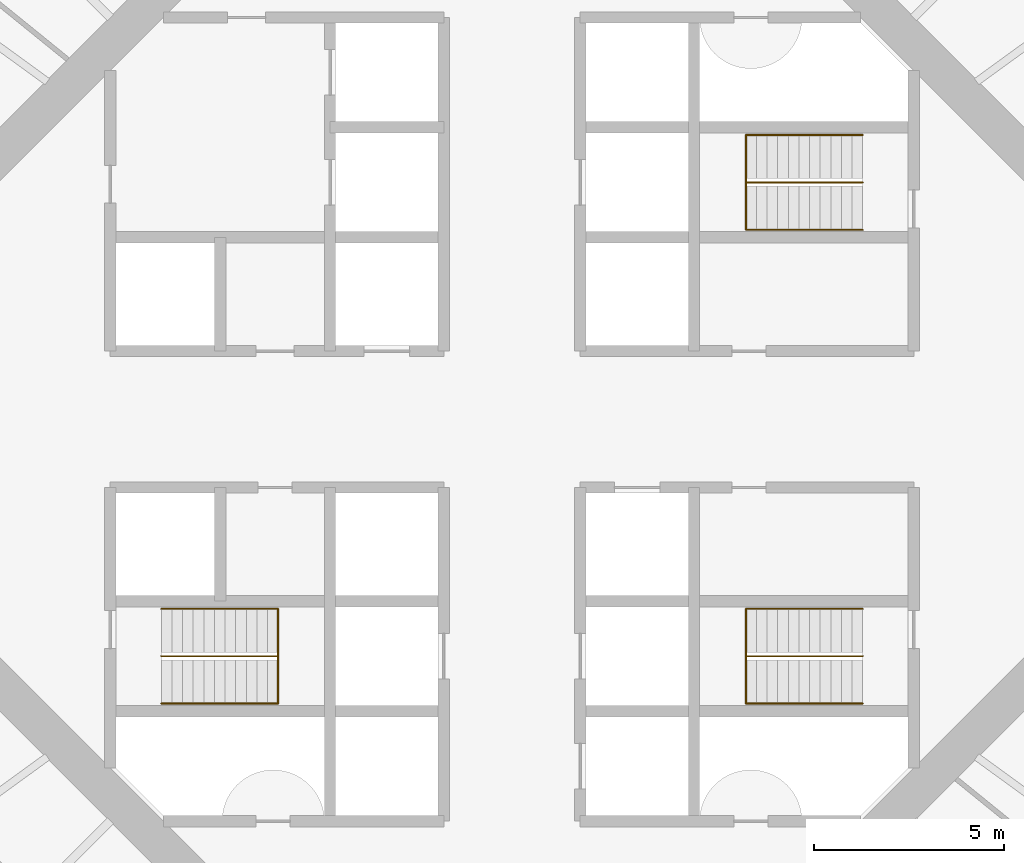
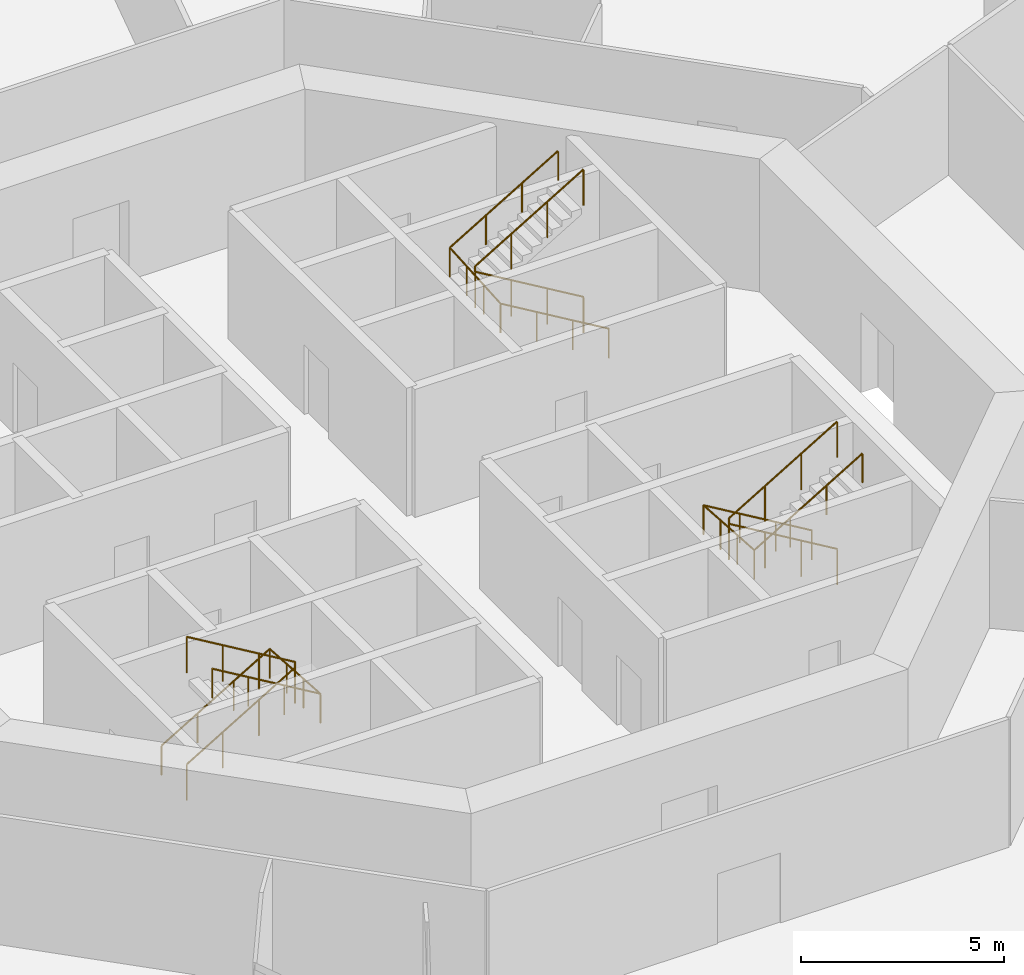
# One storey, part 12 of 12: 6 railings.
"""IFC4 building model written with IfcOpenShell, lengths in metres."""

from ifc_helpers import new_model, si_unit, direction, frame, origin, origin_2d, place, context, subcontext, project, spatial, circle, extrude, material, type_object, element, save


model = new_model("IFC4")

# Units and contexts
model_context = context("Model", 3, precision=1e-05, world=origin(), true_north=direction((0.0, 1.0)))
body_context = subcontext(model_context, "Body", "Model", "MODEL_VIEW")
ifc_project = project(units=[si_unit("LENGTHUNIT", "METRE"), si_unit("AREAUNIT", "SQUARE_METRE"), si_unit("VOLUMEUNIT", "CUBIC_METRE"), si_unit("PLANEANGLEUNIT", "RADIAN"), si_unit("MASSUNIT", "GRAM", prefix="KILO")], contexts=[model_context])

# Site, building, storey
site_placement = place(None, origin())
site = spatial("IfcSite", under=ifc_project, at=site_placement, CompositionType="ELEMENT")
building_placement = place(site_placement, origin())
building = spatial("IfcBuilding", under=site, at=building_placement, Name="Entoto Ring Tower", CompositionType="ELEMENT")
storey_placement = place(building_placement, frame((0.0, 0.0, 152.0)))
storey = spatial("IfcBuildingStorey", under=building, at=storey_placement, Name="L34", CompositionType="ELEMENT", Elevation=152.0)

# Railings
ifc_material_1 = material(Name="Steel S275", Category="steel")
railing_type_1 = type_object("IfcRailingType", Name="Stair guard 1100 mm steel", PredefinedType="GUARDRAIL", material=ifc_material_1)
railing_1_placement = place(storey_placement, frame((99.25, 86.25, 0.166748046875)))
element("IfcRailing", 1, at=railing_1_placement, inside=storey, type_object=railing_type_1, Name="Guard ST1", PredefinedType="GUARDRAIL", context=body_context, shape_type="SweptSolid", body=[
    extrude(circle(Radius=0.02392578125, at=origin_2d()), frame((0.0, 0.0, 1.076171875), z_axis=(-0.859308565015, 0.0, 0.511457515432), x_axis=(0.0, -1.0, 0.0)), (0.0, 0.0, 1.0), 3.58447265625),
    extrude(circle(Radius=0.02392578125, at=origin_2d()), frame((-3.080078125, 0.0, 2.9091796875), z_axis=(0.0, 0.0, 1.0), x_axis=(1.0, 0.0, 0.0)), (0.0, 0.0, 1.0), 0.166748046875),
    extrude(circle(Radius=0.02392578125, at=origin_2d()), frame((-3.080078125, 0.0, 3.076171875), z_axis=(0.859308565015, 0.0, 0.511457515432), x_axis=(0.0, 1.0, 0.0)), (0.0, 0.0, 1.0), 3.58447265625),
    extrude(circle(Radius=0.02099609375, at=origin_2d()), origin(), (0.0, 0.0, 1.0), 1.052001953125),
    extrude(circle(Radius=0.02099609375, at=origin_2d()), frame((-1.026611328125, 0.0, 0.611083984375)), (0.0, 0.0, 1.0), 1.052001953125),
    extrude(circle(Radius=0.02099609375, at=origin_2d()), frame((-2.053466796875, 0.0, 1.22216796875)), (0.0, 0.0, 1.0), 1.052001953125),
    extrude(circle(Radius=0.02099609375, at=origin_2d()), frame((-3.080078125, 0.0, 1.833251953125)), (0.0, 0.0, 1.0), 1.052001953125),
    extrude(circle(Radius=0.02099609375, at=origin_2d()), frame((-3.080078125, 0.0, 2.0)), (0.0, 0.0, 1.0), 1.052001953125),
    extrude(circle(Radius=0.02099609375, at=origin_2d()), frame((-2.053466796875, 0.0, 2.611083984375)), (0.0, 0.0, 1.0), 1.052001953125),
    extrude(circle(Radius=0.02099609375, at=origin_2d()), frame((-1.026611328125, 0.0, 3.22216796875)), (0.0, 0.0, 1.0), 1.052001953125),
    extrude(circle(Radius=0.02099609375, at=origin_2d()), frame((0.0, 0.0, 3.833251953125)), (0.0, 0.0, 1.0), 1.052001953125),
])
railing_2_placement = place(storey_placement, frame((80.75, 73.75, 0.166748046875)))
element("IfcRailing", 2, at=railing_2_placement, inside=storey, type_object=railing_type_1, Name="Guard ST2", PredefinedType="GUARDRAIL", context=body_context, shape_type="SweptSolid", body=[
    extrude(circle(Radius=0.02392578125, at=origin_2d()), frame((0.0, 0.0, 1.076171875), z_axis=(0.859308565015, 0.0, 0.511457515432), x_axis=(0.0, 1.0, 0.0)), (0.0, 0.0, 1.0), 3.58447265625),
    extrude(circle(Radius=0.02392578125, at=origin_2d()), frame((3.080078125, 0.0, 2.9091796875), z_axis=(0.0, 0.0, 1.0), x_axis=(1.0, 0.0, 0.0)), (0.0, 0.0, 1.0), 0.166748046875),
    extrude(circle(Radius=0.02392578125, at=origin_2d()), frame((3.080078125, 0.0, 3.076171875), z_axis=(-0.859308565015, 0.0, 0.511457515432), x_axis=(0.0, -1.0, 0.0)), (0.0, 0.0, 1.0), 3.58447265625),
    extrude(circle(Radius=0.02099609375, at=origin_2d()), origin(), (0.0, 0.0, 1.0), 1.052001953125),
    extrude(circle(Radius=0.02099609375, at=origin_2d()), frame((1.026611328125, 0.0, 0.611083984375)), (0.0, 0.0, 1.0), 1.052001953125),
    extrude(circle(Radius=0.02099609375, at=origin_2d()), frame((2.053466796875, 0.0, 1.22216796875)), (0.0, 0.0, 1.0), 1.052001953125),
    extrude(circle(Radius=0.02099609375, at=origin_2d()), frame((3.080078125, 0.0, 1.833251953125)), (0.0, 0.0, 1.0), 1.052001953125),
    extrude(circle(Radius=0.02099609375, at=origin_2d()), frame((3.080078125, 0.0, 2.0)), (0.0, 0.0, 1.0), 1.052001953125),
    extrude(circle(Radius=0.02099609375, at=origin_2d()), frame((2.053466796875, 0.0, 2.611083984375)), (0.0, 0.0, 1.0), 1.052001953125),
    extrude(circle(Radius=0.02099609375, at=origin_2d()), frame((1.026611328125, 0.0, 3.22216796875)), (0.0, 0.0, 1.0), 1.052001953125),
    extrude(circle(Radius=0.02099609375, at=origin_2d()), frame((0.0, 0.0, 3.833251953125)), (0.0, 0.0, 1.0), 1.052001953125),
])
railing_3_placement = place(storey_placement, frame((99.25, 73.75, 0.166748046875)))
element("IfcRailing", 3, at=railing_3_placement, inside=storey, type_object=railing_type_1, Name="Guard ST3", PredefinedType="GUARDRAIL", context=body_context, shape_type="SweptSolid", body=[
    extrude(circle(Radius=0.02392578125, at=origin_2d()), frame((0.0, 0.0, 1.076171875), z_axis=(-0.859308565015, 0.0, 0.511457515432), x_axis=(0.0, -1.0, 0.0)), (0.0, 0.0, 1.0), 3.58447265625),
    extrude(circle(Radius=0.02392578125, at=origin_2d()), frame((-3.080078125, 0.0, 2.9091796875), z_axis=(0.0, 0.0, 1.0), x_axis=(1.0, 0.0, 0.0)), (0.0, 0.0, 1.0), 0.166748046875),
    extrude(circle(Radius=0.02392578125, at=origin_2d()), frame((-3.080078125, 0.0, 3.076171875), z_axis=(0.859308565015, 0.0, 0.511457515432), x_axis=(0.0, 1.0, 0.0)), (0.0, 0.0, 1.0), 3.58447265625),
    extrude(circle(Radius=0.02099609375, at=origin_2d()), origin(), (0.0, 0.0, 1.0), 1.052001953125),
    extrude(circle(Radius=0.02099609375, at=origin_2d()), frame((-1.026611328125, 0.0, 0.611083984375)), (0.0, 0.0, 1.0), 1.052001953125),
    extrude(circle(Radius=0.02099609375, at=origin_2d()), frame((-2.053466796875, 0.0, 1.22216796875)), (0.0, 0.0, 1.0), 1.052001953125),
    extrude(circle(Radius=0.02099609375, at=origin_2d()), frame((-3.080078125, 0.0, 1.833251953125)), (0.0, 0.0, 1.0), 1.052001953125),
    extrude(circle(Radius=0.02099609375, at=origin_2d()), frame((-3.080078125, 0.0, 2.0)), (0.0, 0.0, 1.0), 1.052001953125),
    extrude(circle(Radius=0.02099609375, at=origin_2d()), frame((-2.053466796875, 0.0, 2.611083984375)), (0.0, 0.0, 1.0), 1.052001953125),
    extrude(circle(Radius=0.02099609375, at=origin_2d()), frame((-1.026611328125, 0.0, 3.22216796875)), (0.0, 0.0, 1.0), 1.052001953125),
    extrude(circle(Radius=0.02099609375, at=origin_2d()), frame((0.0, 0.0, 3.833251953125)), (0.0, 0.0, 1.0), 1.052001953125),
])
ifc_material_2 = material(Name="Steel S275", Category="steel")
railing_type_2 = type_object("IfcRailingType", Name="Stair handrail 900 mm steel", PredefinedType="HANDRAIL", material=ifc_material_2)
railing_4_placement = place(storey_placement, frame((99.25, 85.0, 0.166748046875)))
element("IfcRailing", 4, at=railing_4_placement, inside=storey, type_object=railing_type_2, Name="Handrail ST1", PredefinedType="HANDRAIL", context=body_context, shape_type="SweptSolid", body=[
    extrude(circle(Radius=0.02392578125, at=origin_2d()), frame((0.0, 0.0, 0.8759765625), z_axis=(-0.859308565015, 0.0, 0.511457515432), x_axis=(0.0, -1.0, 0.0)), (0.0, 0.0, 1.0), 3.58447265625),
    extrude(circle(Radius=0.02392578125, at=origin_2d()), frame((-3.080078125, 0.0, 2.708984375), z_axis=(0.0, 0.997783001586, 0.066551346688), x_axis=(-1.0, 0.0, 0.0)), (0.0, 0.0, 1.0), 2.505615234375),
    extrude(circle(Radius=0.02392578125, at=origin_2d()), frame((-3.080078125, 2.5, 2.8759765625), z_axis=(0.859308565015, 0.0, 0.511457515432), x_axis=(0.0, 1.0, 0.0)), (0.0, 0.0, 1.0), 3.58447265625),
    extrude(circle(Radius=0.02099609375, at=origin_2d()), origin(), (0.0, 0.0, 1.0), 0.851806640625),
    extrude(circle(Radius=0.02099609375, at=origin_2d()), frame((-1.026611328125, 0.0, 0.611083984375)), (0.0, 0.0, 1.0), 0.851806640625),
    extrude(circle(Radius=0.02099609375, at=origin_2d()), frame((-2.053466796875, 0.0, 1.22216796875)), (0.0, 0.0, 1.0), 0.851806640625),
    extrude(circle(Radius=0.02099609375, at=origin_2d()), frame((-3.080078125, 0.0, 1.833251953125)), (0.0, 0.0, 1.0), 0.851806640625),
    extrude(circle(Radius=0.02099609375, at=origin_2d()), frame((-3.080078125, 0.833251953125, 1.888916015625)), (0.0, 0.0, 1.0), 0.851806640625),
    extrude(circle(Radius=0.02099609375, at=origin_2d()), frame((-3.080078125, 1.666748046875, 1.9443359375)), (0.0, 0.0, 1.0), 0.851806640625),
    extrude(circle(Radius=0.02099609375, at=origin_2d()), frame((-3.080078125, 2.5, 2.0)), (0.0, 0.0, 1.0), 0.851806640625),
    extrude(circle(Radius=0.02099609375, at=origin_2d()), frame((-2.053466796875, 2.5, 2.611083984375)), (0.0, 0.0, 1.0), 0.851806640625),
    extrude(circle(Radius=0.02099609375, at=origin_2d()), frame((-1.026611328125, 2.5, 3.22216796875)), (0.0, 0.0, 1.0), 0.851806640625),
    extrude(circle(Radius=0.02099609375, at=origin_2d()), frame((0.0, 2.5, 3.833251953125)), (0.0, 0.0, 1.0), 0.851806640625),
])
railing_5_placement = place(storey_placement, frame((80.75, 75.0, 0.166748046875)))
element("IfcRailing", 5, at=railing_5_placement, inside=storey, type_object=railing_type_2, Name="Handrail ST2", PredefinedType="HANDRAIL", context=body_context, shape_type="SweptSolid", body=[
    extrude(circle(Radius=0.02392578125, at=origin_2d()), frame((0.0, 0.0, 0.8759765625), z_axis=(0.859308565015, 0.0, 0.511457515432), x_axis=(0.0, 1.0, 0.0)), (0.0, 0.0, 1.0), 3.58447265625),
    extrude(circle(Radius=0.02392578125, at=origin_2d()), frame((3.080078125, 0.0, 2.708984375), z_axis=(0.0, -0.997783001586, 0.066551346688), x_axis=(1.0, 0.0, 0.0)), (0.0, 0.0, 1.0), 2.505615234375),
    extrude(circle(Radius=0.02392578125, at=origin_2d()), frame((3.080078125, -2.5, 2.8759765625), z_axis=(-0.859308565015, 0.0, 0.511457515432), x_axis=(0.0, -1.0, 0.0)), (0.0, 0.0, 1.0), 3.58447265625),
    extrude(circle(Radius=0.02099609375, at=origin_2d()), origin(), (0.0, 0.0, 1.0), 0.851806640625),
    extrude(circle(Radius=0.02099609375, at=origin_2d()), frame((1.026611328125, 0.0, 0.611083984375)), (0.0, 0.0, 1.0), 0.851806640625),
    extrude(circle(Radius=0.02099609375, at=origin_2d()), frame((2.053466796875, 0.0, 1.22216796875)), (0.0, 0.0, 1.0), 0.851806640625),
    extrude(circle(Radius=0.02099609375, at=origin_2d()), frame((3.080078125, 0.0, 1.833251953125)), (0.0, 0.0, 1.0), 0.851806640625),
    extrude(circle(Radius=0.02099609375, at=origin_2d()), frame((3.080078125, -0.833251953125, 1.888916015625)), (0.0, 0.0, 1.0), 0.851806640625),
    extrude(circle(Radius=0.02099609375, at=origin_2d()), frame((3.080078125, -1.666748046875, 1.9443359375)), (0.0, 0.0, 1.0), 0.851806640625),
    extrude(circle(Radius=0.02099609375, at=origin_2d()), frame((3.080078125, -2.5, 2.0)), (0.0, 0.0, 1.0), 0.851806640625),
    extrude(circle(Radius=0.02099609375, at=origin_2d()), frame((2.053466796875, -2.5, 2.611083984375)), (0.0, 0.0, 1.0), 0.851806640625),
    extrude(circle(Radius=0.02099609375, at=origin_2d()), frame((1.026611328125, -2.5, 3.22216796875)), (0.0, 0.0, 1.0), 0.851806640625),
    extrude(circle(Radius=0.02099609375, at=origin_2d()), frame((0.0, -2.5, 3.833251953125)), (0.0, 0.0, 1.0), 0.851806640625),
])
railing_6_placement = place(storey_placement, frame((99.25, 75.0, 0.166748046875)))
element("IfcRailing", 6, at=railing_6_placement, inside=storey, type_object=railing_type_2, Name="Handrail ST3", PredefinedType="HANDRAIL", context=body_context, shape_type="SweptSolid", body=[
    extrude(circle(Radius=0.02392578125, at=origin_2d()), frame((0.0, 0.0, 0.8759765625), z_axis=(-0.859308565015, 0.0, 0.511457515432), x_axis=(0.0, -1.0, 0.0)), (0.0, 0.0, 1.0), 3.58447265625),
    extrude(circle(Radius=0.02392578125, at=origin_2d()), frame((-3.080078125, 0.0, 2.708984375), z_axis=(0.0, -0.997783001586, 0.066551346688), x_axis=(1.0, 0.0, 0.0)), (0.0, 0.0, 1.0), 2.505615234375),
    extrude(circle(Radius=0.02392578125, at=origin_2d()), frame((-3.080078125, -2.5, 2.8759765625), z_axis=(0.859308565015, 0.0, 0.511457515432), x_axis=(0.0, 1.0, 0.0)), (0.0, 0.0, 1.0), 3.58447265625),
    extrude(circle(Radius=0.02099609375, at=origin_2d()), origin(), (0.0, 0.0, 1.0), 0.851806640625),
    extrude(circle(Radius=0.02099609375, at=origin_2d()), frame((-1.026611328125, 0.0, 0.611083984375)), (0.0, 0.0, 1.0), 0.851806640625),
    extrude(circle(Radius=0.02099609375, at=origin_2d()), frame((-2.053466796875, 0.0, 1.22216796875)), (0.0, 0.0, 1.0), 0.851806640625),
    extrude(circle(Radius=0.02099609375, at=origin_2d()), frame((-3.080078125, 0.0, 1.833251953125)), (0.0, 0.0, 1.0), 0.851806640625),
    extrude(circle(Radius=0.02099609375, at=origin_2d()), frame((-3.080078125, -0.833251953125, 1.888916015625)), (0.0, 0.0, 1.0), 0.851806640625),
    extrude(circle(Radius=0.02099609375, at=origin_2d()), frame((-3.080078125, -1.666748046875, 1.9443359375)), (0.0, 0.0, 1.0), 0.851806640625),
    extrude(circle(Radius=0.02099609375, at=origin_2d()), frame((-3.080078125, -2.5, 2.0)), (0.0, 0.0, 1.0), 0.851806640625),
    extrude(circle(Radius=0.02099609375, at=origin_2d()), frame((-2.053466796875, -2.5, 2.611083984375)), (0.0, 0.0, 1.0), 0.851806640625),
    extrude(circle(Radius=0.02099609375, at=origin_2d()), frame((-1.026611328125, -2.5, 3.22216796875)), (0.0, 0.0, 1.0), 0.851806640625),
    extrude(circle(Radius=0.02099609375, at=origin_2d()), frame((0.0, -2.5, 3.833251953125)), (0.0, 0.0, 1.0), 0.851806640625),
])

save(model, "model.ifc")
